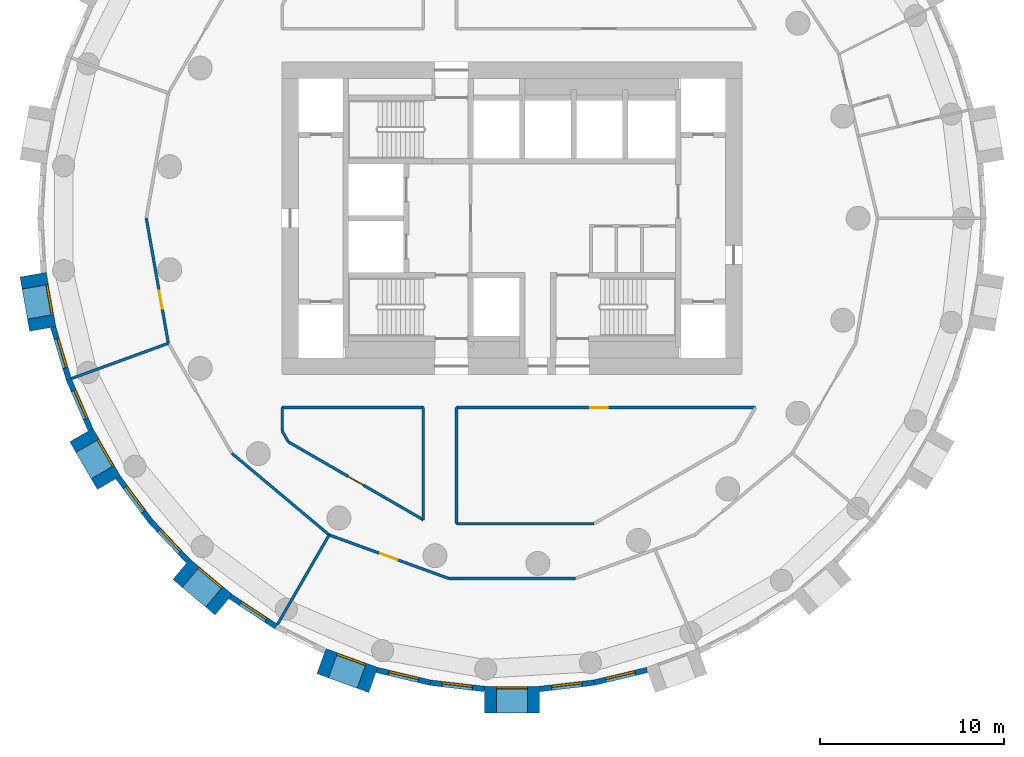
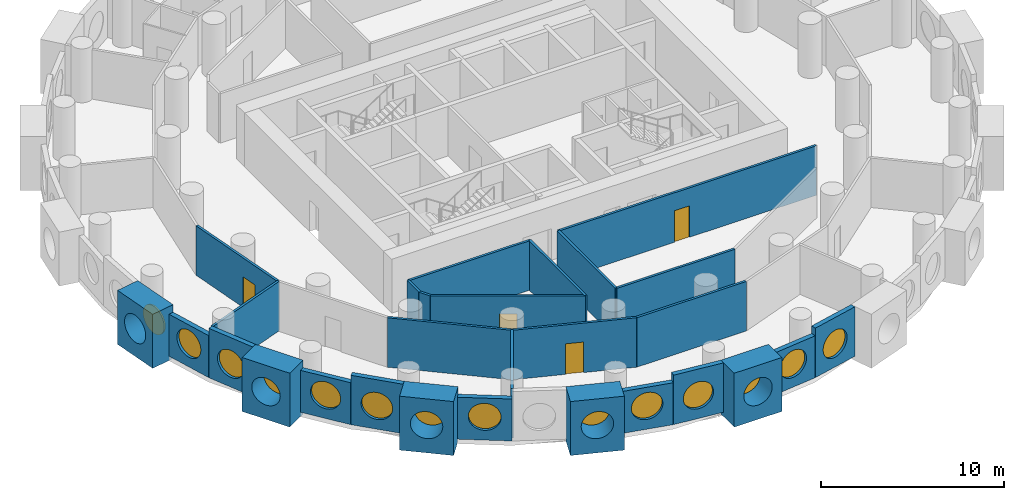
# One storey, part 2 of 9: 28 walls, 14 windows, 4 doors, 18 openings.
"""IFC4 building model written with IfcOpenShell, lengths in metres."""

from ifc_helpers import new_model, si_unit, direction, frame, frame_2d, origin, origin_2d, place, context, subcontext, project, spatial, rectangle, circle, extrude, material, layer, layer_set, type_object, element, fill, save


model = new_model("IFC4")

# Units and contexts
model_context = context("Model", 3, precision=1e-05, world=origin(), true_north=direction((0.0, 1.0)))
body_context = subcontext(model_context, "Body", "Model", "MODEL_VIEW")
ifc_project = project(units=[si_unit("LENGTHUNIT", "METRE"), si_unit("AREAUNIT", "SQUARE_METRE"), si_unit("VOLUMEUNIT", "CUBIC_METRE"), si_unit("PLANEANGLEUNIT", "RADIAN"), si_unit("MASSUNIT", "GRAM", prefix="KILO")], contexts=[model_context])

# Site, building, storey
site_placement = place(None, origin())
site = spatial("IfcSite", under=ifc_project, at=site_placement, CompositionType="ELEMENT")
building_placement = place(site_placement, origin())
building = spatial("IfcBuilding", under=site, at=building_placement, Name="Tracery Tower", CompositionType="ELEMENT")
storey_placement = place(building_placement, frame((0.0, 0.0, 172.800048828125)))
storey = spatial("IfcBuildingStorey", under=building, at=storey_placement, Name="L44", CompositionType="ELEMENT", Elevation=172.800048828125)

# Wall, opening, window
ifc_material_1 = material(Name="Precast concrete C50/60", Category="concrete")
ifc_layer_1 = layer(ifc_material_1, 1.449951171875)
ifc_layer_set_1 = layer_set([ifc_layer_1], Name="Deep-set bay unit 3000 x 3600, slab edge 300")
wall_type_1 = type_object("IfcWallType", Name="Deep-set bay unit 3000 x 3600, slab edge 300", PredefinedType="ELEMENTEDWALL", material=ifc_layer_set_1)
wall_1_placement = place(storey_placement, frame((-26.041748046875, -3.06884765625, -0.300048828125), z_axis=(0.0, 0.0, 1.0), x_axis=(0.173669267716, -0.984804034035, 0.0)))
wall_1 = element("IfcWall", 1, at=wall_1_placement, inside=storey, type_object=wall_type_1, Name="Deep-set bay unit 29 at L44", PredefinedType="ELEMENTEDWALL", context=body_context, shape_type="SweptSolid", body=[
    extrude(rectangle(XDim=3.0, YDim=1.449951171875, at=frame_2d((1.5, 0.0))), origin(), (0.0, 0.0, 1.0), 3.60009765625),
])
opening_1_placement = place(wall_1_placement, frame((1.5, 0.0, 1.85009765625)))
opening_1 = element("IfcOpeningElement", 2, at=opening_1_placement, cuts=wall_1, Name="Opening WN1", PredefinedType="OPENING", context=body_context, shape_type="SweptSolid", body=[
    extrude(circle(Radius=0.9000244140625, at=origin_2d()), frame((0.0, 0.73486328125, 0.0), z_axis=(0.0, -1.0, 0.0), x_axis=(1.0, 0.0, 0.0)), (0.0, 0.0, 1.0), 1.469970703125),
])
ifc_material_2 = material(Name="Aluminium frame with tinted double glazing", Category="aluminium")
window_type = type_object("IfcWindowType", Name="Round window 1800", PartitioningType="SINGLE_PANEL", PredefinedType="WINDOW", material=ifc_material_2)
window_1_placement = place(opening_1_placement, origin())
window_1 = element("IfcWindow", 3, at=window_1_placement, inside=storey, type_object=window_type, Name="Round window 29 at L44", OverallHeight=1.800048828125, OverallWidth=1.800048828125, PartitioningType="SINGLE_PANEL", PredefinedType="WINDOW", context=body_context, shape_type="SweptSolid", body=[
    extrude(circle(Radius=0.9000244140625, at=origin_2d()), frame((0.0, 0.69482421875, 0.0), z_axis=(0.0, -1.0, 0.0), x_axis=(1.0, 0.0, 0.0)), (0.0, 0.0, 1.0), 0.10009765625),
])
fill(opening_1, window_1)

wall_2_placement = place(storey_placement, frame((-23.421630859375, -11.79052734375, -0.300048828125), z_axis=(0.0, 0.0, 1.0), x_axis=(0.499990139034, -0.866031096941, 0.0)))
wall_2 = element("IfcWall", 4, at=wall_2_placement, inside=storey, type_object=wall_type_1, Name="Deep-set bay unit 32 at L44", PredefinedType="ELEMENTEDWALL", context=body_context, shape_type="SweptSolid", body=[
    extrude(rectangle(XDim=3.0, YDim=1.449951171875, at=frame_2d((1.5, 0.0))), origin(), (0.0, 0.0, 1.0), 3.60009765625),
])
opening_2_placement = place(wall_2_placement, frame((1.5, 0.0, 1.85009765625)))
opening_2 = element("IfcOpeningElement", 5, at=opening_2_placement, cuts=wall_2, Name="Opening WN1", PredefinedType="OPENING", context=body_context, shape_type="SweptSolid", body=[
    extrude(circle(Radius=0.9000244140625, at=origin_2d()), frame((0.0, 0.73486328125, 0.0), z_axis=(0.0, -1.0, 0.0), x_axis=(1.0, 0.0, 0.0)), (0.0, 0.0, 1.0), 1.469970703125),
])
window_2_placement = place(opening_2_placement, origin())
window_2 = element("IfcWindow", 6, at=window_2_placement, inside=storey, type_object=window_type, Name="Round window 32 at L44", OverallHeight=1.800048828125, OverallWidth=1.800048828125, PartitioningType="SINGLE_PANEL", PredefinedType="WINDOW", context=body_context, shape_type="SweptSolid", body=[
    extrude(circle(Radius=0.9000244140625, at=origin_2d()), frame((0.0, 0.69482421875, 0.0), z_axis=(0.0, -1.0, 0.0), x_axis=(1.0, 0.0, 0.0)), (0.0, 0.0, 1.0), 0.10009765625),
])
fill(opening_2, window_2)

wall_3_placement = place(storey_placement, frame((-17.9765625, -19.090087890625, -0.300048828125), z_axis=(0.0, 0.0, 1.0), x_axis=(0.766022196139, -0.642814121673, 0.0)))
wall_3 = element("IfcWall", 7, at=wall_3_placement, inside=storey, type_object=wall_type_1, Name="Deep-set bay unit 35 at L44", PredefinedType="ELEMENTEDWALL", context=body_context, shape_type="SweptSolid", body=[
    extrude(rectangle(XDim=3.0, YDim=1.449951171875, at=frame_2d((1.5, 0.0))), origin(), (0.0, 0.0, 1.0), 3.60009765625),
])
opening_3_placement = place(wall_3_placement, frame((1.5, 0.0, 1.85009765625)))
opening_3 = element("IfcOpeningElement", 8, at=opening_3_placement, cuts=wall_3, Name="Opening WN1", PredefinedType="OPENING", context=body_context, shape_type="SweptSolid", body=[
    extrude(circle(Radius=0.9000244140625, at=origin_2d()), frame((0.0, 0.73486328125, 0.0), z_axis=(0.0, -1.0, 0.0), x_axis=(1.0, 0.0, 0.0)), (0.0, 0.0, 1.0), 1.469970703125),
])
window_3_placement = place(opening_3_placement, origin())
window_3 = element("IfcWindow", 9, at=window_3_placement, inside=storey, type_object=window_type, Name="Round window 35 at L44", OverallHeight=1.800048828125, OverallWidth=1.800048828125, PartitioningType="SINGLE_PANEL", PredefinedType="WINDOW", context=body_context, shape_type="SweptSolid", body=[
    extrude(circle(Radius=0.9000244140625, at=origin_2d()), frame((0.0, 0.69482421875, 0.0), z_axis=(0.0, -1.0, 0.0), x_axis=(1.0, 0.0, 0.0)), (0.0, 0.0, 1.0), 0.10009765625),
])
fill(opening_3, window_3)

wall_4_placement = place(storey_placement, frame((-10.36328125, -24.087158203125, -0.300048828125), z_axis=(0.0, 0.0, 1.0), x_axis=(0.939686455819, -0.342037080957, 0.0)))
wall_4 = element("IfcWall", 10, at=wall_4_placement, inside=storey, type_object=wall_type_1, Name="Deep-set bay unit 38 at L44", PredefinedType="ELEMENTEDWALL", context=body_context, shape_type="SweptSolid", body=[
    extrude(rectangle(XDim=3.0, YDim=1.449951171875, at=frame_2d((1.5, 0.0))), origin(), (0.0, 0.0, 1.0), 3.60009765625),
])
opening_4_placement = place(wall_4_placement, frame((1.5, 0.0, 1.85009765625)))
opening_4 = element("IfcOpeningElement", 11, at=opening_4_placement, cuts=wall_4, Name="Opening WN1", PredefinedType="OPENING", context=body_context, shape_type="SweptSolid", body=[
    extrude(circle(Radius=0.9000244140625, at=origin_2d()), frame((0.0, 0.73486328125, 0.0), z_axis=(0.0, -1.0, 0.0), x_axis=(1.0, 0.0, 0.0)), (0.0, 0.0, 1.0), 1.469970703125),
])
window_4_placement = place(opening_4_placement, origin())
window_4 = element("IfcWindow", 12, at=window_4_placement, inside=storey, type_object=window_type, Name="Round window 38 at L44", OverallHeight=1.800048828125, OverallWidth=1.800048828125, PartitioningType="SINGLE_PANEL", PredefinedType="WINDOW", context=body_context, shape_type="SweptSolid", body=[
    extrude(circle(Radius=0.9000244140625, at=origin_2d()), frame((0.0, 0.69482421875, 0.0), z_axis=(0.0, -1.0, 0.0), x_axis=(1.0, 0.0, 0.0)), (0.0, 0.0, 1.0), 0.10009765625),
])
fill(opening_4, window_4)

wall_5_placement = place(storey_placement, frame((-1.5, -26.178955078125, -0.300048828125), z_axis=(0.0, 0.0, 1.0), x_axis=(1.0, 0.0, 0.0)))
wall_5 = element("IfcWall", 13, at=wall_5_placement, inside=storey, type_object=wall_type_1, Name="Deep-set bay unit 41 at L44", PredefinedType="ELEMENTEDWALL", context=body_context, shape_type="SweptSolid", body=[
    extrude(rectangle(XDim=3.0, YDim=1.449951171875, at=frame_2d((1.5, 0.0))), origin(), (0.0, 0.0, 1.0), 3.60009765625),
])
opening_5_placement = place(wall_5_placement, frame((1.5, 0.0, 1.85009765625)))
opening_5 = element("IfcOpeningElement", 14, at=opening_5_placement, cuts=wall_5, Name="Opening WN1", PredefinedType="OPENING", context=body_context, shape_type="SweptSolid", body=[
    extrude(circle(Radius=0.9000244140625, at=origin_2d()), frame((0.0, 0.73486328125, 0.0), z_axis=(0.0, -1.0, 0.0), x_axis=(1.0, 0.0, 0.0)), (0.0, 0.0, 1.0), 1.469970703125),
])
window_5_placement = place(opening_5_placement, origin())
window_5 = element("IfcWindow", 15, at=window_5_placement, inside=storey, type_object=window_type, Name="Round window 41 at L44", OverallHeight=1.800048828125, OverallWidth=1.800048828125, PartitioningType="SINGLE_PANEL", PredefinedType="WINDOW", context=body_context, shape_type="SweptSolid", body=[
    extrude(circle(Radius=0.9000244140625, at=origin_2d()), frame((0.0, 0.69482421875, 0.0), z_axis=(0.0, -1.0, 0.0), x_axis=(1.0, 0.0, 0.0)), (0.0, 0.0, 1.0), 0.10009765625),
])
fill(opening_5, window_5)

ifc_material_3 = material(Name="Precast concrete C50/60", Category="concrete")
ifc_layer_2 = layer(ifc_material_3, 0.300048828125)
ifc_layer_set_2 = layer_set([ifc_layer_2], Name="Facade panel 3000 x 2800")
wall_type_2 = type_object("IfcWallType", Name="Facade panel 3000 x 2800", PredefinedType="SOLIDWALL", material=ifc_layer_set_2)
wall_6_placement = place(storey_placement, frame((-24.953369140625, -5.924072265625, 0.0), z_axis=(0.0, 0.0, 1.0), x_axis=(0.286782750849, -0.957995643944, 0.0)))
wall_6 = element("IfcWall", 16, at=wall_6_placement, inside=storey, type_object=wall_type_2, Name="Facade panel 30 at L44", PredefinedType="SOLIDWALL", context=body_context, shape_type="SweptSolid", body=[
    extrude(rectangle(XDim=2.97265625, YDim=0.300048828125, at=frame_2d((1.486328125, 0.0))), origin(), (0.0, 0.0, 1.0), 2.800048828125),
])
opening_6_placement = place(wall_6_placement, frame((1.486328125, 0.0, 1.5498046875)))
opening_6 = element("IfcOpeningElement", 17, at=opening_6_placement, cuts=wall_6, Name="Opening WN1", PredefinedType="OPENING", context=body_context, shape_type="SweptSolid", body=[
    extrude(circle(Radius=0.9000244140625, at=origin_2d()), frame((0.0, 0.159912109375, 0.0), z_axis=(0.0, -1.0, 0.0), x_axis=(1.0, 0.0, 0.0)), (0.0, 0.0, 1.0), 0.320068359375),
])
window_6_placement = place(opening_6_placement, origin())
window_6 = element("IfcWindow", 18, at=window_6_placement, inside=storey, type_object=window_type, Name="Round window 30 at L44", OverallHeight=1.800048828125, OverallWidth=1.800048828125, PartitioningType="SINGLE_PANEL", PredefinedType="WINDOW", context=body_context, shape_type="SweptSolid", body=[
    extrude(circle(Radius=0.9000244140625, at=origin_2d()), frame((0.0, 0.1201171875, 0.0), z_axis=(0.0, -1.0, 0.0), x_axis=(1.0, 0.0, 0.0)), (0.0, 0.0, 1.0), 0.10009765625),
])
fill(opening_6, window_6)

wall_7_placement = place(storey_placement, frame((-21.42236328125, -14.101318359375, 0.0), z_axis=(0.0, 0.0, 1.0), x_axis=(0.597197580538, -0.80209416517, 0.0)))
wall_7 = element("IfcWall", 19, at=wall_7_placement, inside=storey, type_object=wall_type_2, Name="Facade panel 33 at L44", PredefinedType="SOLIDWALL", context=body_context, shape_type="SweptSolid", body=[
    extrude(rectangle(XDim=2.972900390625, YDim=0.300048828125, at=frame_2d((1.486328125, 0.0))), origin(), (0.0, 0.0, 1.0), 2.800048828125),
])
opening_7_placement = place(wall_7_placement, frame((1.486328125, 0.0, 1.5498046875)))
opening_7 = element("IfcOpeningElement", 20, at=opening_7_placement, cuts=wall_7, Name="Opening WN1", PredefinedType="OPENING", context=body_context, shape_type="SweptSolid", body=[
    extrude(circle(Radius=0.9000244140625, at=origin_2d()), frame((0.0, 0.159912109375, 0.0), z_axis=(0.0, -1.0, 0.0), x_axis=(1.0, 0.0, 0.0)), (0.0, 0.0, 1.0), 0.320068359375),
])
window_7_placement = place(opening_7_placement, origin())
window_7 = element("IfcWindow", 21, at=window_7_placement, inside=storey, type_object=window_type, Name="Round window 33 at L44", OverallHeight=1.800048828125, OverallWidth=1.800048828125, PartitioningType="SINGLE_PANEL", PredefinedType="WINDOW", context=body_context, shape_type="SweptSolid", body=[
    extrude(circle(Radius=0.9000244140625, at=origin_2d()), frame((0.0, 0.1201171875, 0.0), z_axis=(0.0, -1.0, 0.0), x_axis=(1.0, 0.0, 0.0)), (0.0, 0.0, 1.0), 0.10009765625),
])
fill(opening_7, window_7)

wall_8_placement = place(storey_placement, frame((-15.3076171875, -20.57763671875, 0.0), z_axis=(0.0, 0.0, 1.0), x_axis=(0.835470659512, -0.549535055382, 0.0)))
wall_8 = element("IfcWall", 22, at=wall_8_placement, inside=storey, type_object=wall_type_2, Name="Facade panel 36 at L44", PredefinedType="SOLIDWALL", context=body_context, shape_type="SweptSolid", body=[
    extrude(rectangle(XDim=2.97314453125, YDim=0.300048828125, at=frame_2d((1.486572265625, 0.0))), origin(), (0.0, 0.0, 1.0), 2.800048828125),
])
opening_8_placement = place(wall_8_placement, frame((1.486328125, 0.0, 1.5498046875)))
opening_8 = element("IfcOpeningElement", 23, at=opening_8_placement, cuts=wall_8, Name="Opening WN1", PredefinedType="OPENING", context=body_context, shape_type="SweptSolid", body=[
    extrude(circle(Radius=0.9000244140625, at=origin_2d()), frame((0.0, 0.159912109375, 0.0), z_axis=(0.0, -1.0, 0.0), x_axis=(1.0, 0.0, 0.0)), (0.0, 0.0, 1.0), 0.320068359375),
])
window_8_placement = place(opening_8_placement, origin())
window_8 = element("IfcWindow", 24, at=window_8_placement, inside=storey, type_object=window_type, Name="Round window 36 at L44", OverallHeight=1.800048828125, OverallWidth=1.800048828125, PartitioningType="SINGLE_PANEL", PredefinedType="WINDOW", context=body_context, shape_type="SweptSolid", body=[
    extrude(circle(Radius=0.9000244140625, at=origin_2d()), frame((0.0, 0.1201171875, 0.0), z_axis=(0.0, -1.0, 0.0), x_axis=(1.0, 0.0, 0.0)), (0.0, 0.0, 1.0), 0.10009765625),
])
fill(opening_8, window_8)

wall_9_placement = place(storey_placement, frame((-7.346435546875, -24.572265625, 0.0), z_axis=(0.0, 0.0, 1.0), x_axis=(0.973049746156, -0.230595298102, 0.0)))
wall_9 = element("IfcWall", 25, at=wall_9_placement, inside=storey, type_object=wall_type_2, Name="Facade panel 39 at L44", PredefinedType="SOLIDWALL", context=body_context, shape_type="SweptSolid", body=[
    extrude(rectangle(XDim=2.972900390625, YDim=0.300048828125, at=frame_2d((1.486328125, 0.0))), origin(), (0.0, 0.0, 1.0), 2.800048828125),
])
opening_9_placement = place(wall_9_placement, frame((1.486328125, 0.0, 1.5498046875)))
opening_9 = element("IfcOpeningElement", 26, at=opening_9_placement, cuts=wall_9, Name="Opening WN1", PredefinedType="OPENING", context=body_context, shape_type="SweptSolid", body=[
    extrude(circle(Radius=0.9000244140625, at=origin_2d()), frame((0.0, 0.159912109375, 0.0), z_axis=(0.0, -1.0, 0.0), x_axis=(1.0, 0.0, 0.0)), (0.0, 0.0, 1.0), 0.320068359375),
])
window_9_placement = place(opening_9_placement, origin())
window_9 = element("IfcWindow", 27, at=window_9_placement, inside=storey, type_object=window_type, Name="Round window 39 at L44", OverallHeight=1.800048828125, OverallWidth=1.800048828125, PartitioningType="SINGLE_PANEL", PredefinedType="WINDOW", context=body_context, shape_type="SweptSolid", body=[
    extrude(circle(Radius=0.9000244140625, at=origin_2d()), frame((0.0, 0.1201171875, 0.0), z_axis=(0.0, -1.0, 0.0), x_axis=(1.0, 0.0, 0.0)), (0.0, 0.0, 1.0), 0.10009765625),
])
fill(opening_9, window_9)

wall_10_placement = place(storey_placement, frame((1.500732421875, -25.60302734375, 0.0), z_axis=(0.0, 0.0, 1.0), x_axis=(0.993235542767, 0.116116995244, 0.0)))
wall_10 = element("IfcWall", 28, at=wall_10_placement, inside=storey, type_object=wall_type_2, Name="Facade panel 42 at L44", PredefinedType="SOLIDWALL", context=body_context, shape_type="SweptSolid", body=[
    extrude(rectangle(XDim=2.972900390625, YDim=0.300048828125, at=frame_2d((1.486328125, 0.0))), origin(), (0.0, 0.0, 1.0), 2.800048828125),
])
opening_10_placement = place(wall_10_placement, frame((1.486328125, 0.0, 1.5498046875)))
opening_10 = element("IfcOpeningElement", 29, at=opening_10_placement, cuts=wall_10, Name="Opening WN1", PredefinedType="OPENING", context=body_context, shape_type="SweptSolid", body=[
    extrude(circle(Radius=0.9000244140625, at=origin_2d()), frame((0.0, 0.159912109375, 0.0), z_axis=(0.0, -1.0, 0.0), x_axis=(1.0, 0.0, 0.0)), (0.0, 0.0, 1.0), 0.320068359375),
])
window_10_placement = place(opening_10_placement, origin())
window_10 = element("IfcWindow", 30, at=window_10_placement, inside=storey, type_object=window_type, Name="Round window 42 at L44", OverallHeight=1.800048828125, OverallWidth=1.800048828125, PartitioningType="SINGLE_PANEL", PredefinedType="WINDOW", context=body_context, shape_type="SweptSolid", body=[
    extrude(circle(Radius=0.9000244140625, at=origin_2d()), frame((0.0, 0.1201171875, 0.0), z_axis=(0.0, -1.0, 0.0), x_axis=(1.0, 0.0, 0.0)), (0.0, 0.0, 1.0), 0.10009765625),
])
fill(opening_10, window_10)

ifc_material_4 = material(Name="Precast concrete C50/60", Category="concrete")
ifc_layer_3 = layer(ifc_material_4, 0.300048828125)
ifc_layer_set_3 = layer_set([ifc_layer_3], Name="Facade panel 3000 x 3300")
wall_type_3 = type_object("IfcWallType", Name="Facade panel 3000 x 3300", PredefinedType="SOLIDWALL", material=ifc_layer_set_3)
wall_11_placement = place(storey_placement, frame((-24.100830078125, -8.77197265625, 0.0), z_axis=(0.0, 0.0, 1.0), x_axis=(0.396148129016, -0.918186614952, 0.0)))
wall_11 = element("IfcWall", 31, at=wall_11_placement, inside=storey, type_object=wall_type_3, Name="Facade panel 31 at L44", PredefinedType="SOLIDWALL", context=body_context, shape_type="SweptSolid", body=[
    extrude(rectangle(XDim=2.972900390625, YDim=0.300048828125, at=frame_2d((1.486328125, 0.0))), origin(), (0.0, 0.0, 1.0), 3.300048828125),
])
opening_11_placement = place(wall_11_placement, frame((1.486328125, 0.0, 1.5498046875)))
opening_11 = element("IfcOpeningElement", 32, at=opening_11_placement, cuts=wall_11, Name="Opening WN1", PredefinedType="OPENING", context=body_context, shape_type="SweptSolid", body=[
    extrude(circle(Radius=0.9000244140625, at=origin_2d()), frame((0.0, 0.159912109375, 0.0), z_axis=(0.0, -1.0, 0.0), x_axis=(1.0, 0.0, 0.0)), (0.0, 0.0, 1.0), 0.320068359375),
])
window_11_placement = place(opening_11_placement, origin())
window_11 = element("IfcWindow", 33, at=window_11_placement, inside=storey, type_object=window_type, Name="Round window 31 at L44", OverallHeight=1.800048828125, OverallWidth=1.800048828125, PartitioningType="SINGLE_PANEL", PredefinedType="WINDOW", context=body_context, shape_type="SweptSolid", body=[
    extrude(circle(Radius=0.9000244140625, at=origin_2d()), frame((0.0, 0.1201171875, 0.0), z_axis=(0.0, -1.0, 0.0), x_axis=(1.0, 0.0, 0.0)), (0.0, 0.0, 1.0), 0.10009765625),
])
fill(opening_11, window_11)

wall_12_placement = place(storey_placement, frame((-19.64697265625, -16.48583984375, 0.0), z_axis=(0.0, 0.0, 1.0), x_axis=(0.686235184166, -0.727379730273, 0.0)))
wall_12 = element("IfcWall", 34, at=wall_12_placement, inside=storey, type_object=wall_type_3, Name="Facade panel 34 at L44", PredefinedType="SOLIDWALL", context=body_context, shape_type="SweptSolid", body=[
    extrude(rectangle(XDim=2.972900390625, YDim=0.300048828125, at=frame_2d((1.486328125, 0.0))), origin(), (0.0, 0.0, 1.0), 3.300048828125),
])
opening_12_placement = place(wall_12_placement, frame((1.486328125, 0.0, 1.5498046875)))
opening_12 = element("IfcOpeningElement", 35, at=opening_12_placement, cuts=wall_12, Name="Opening WN1", PredefinedType="OPENING", context=body_context, shape_type="SweptSolid", body=[
    extrude(circle(Radius=0.9000244140625, at=origin_2d()), frame((0.0, 0.159912109375, 0.0), z_axis=(0.0, -1.0, 0.0), x_axis=(1.0, 0.0, 0.0)), (0.0, 0.0, 1.0), 0.320068359375),
])
window_12_placement = place(opening_12_placement, origin())
window_12 = element("IfcWindow", 36, at=window_12_placement, inside=storey, type_object=window_type, Name="Round window 34 at L44", OverallHeight=1.800048828125, OverallWidth=1.800048828125, PartitioningType="SINGLE_PANEL", PredefinedType="WINDOW", context=body_context, shape_type="SweptSolid", body=[
    extrude(circle(Radius=0.9000244140625, at=origin_2d()), frame((0.0, 0.1201171875, 0.0), z_axis=(0.0, -1.0, 0.0), x_axis=(1.0, 0.0, 0.0)), (0.0, 0.0, 1.0), 0.10009765625),
])
fill(opening_12, window_12)

wall_13_placement = place(storey_placement, frame((-4.45361328125, -25.2578125, 0.0), z_axis=(0.0, 0.0, 1.0), x_axis=(0.993235542767, -0.116116995244, 0.0)))
wall_13 = element("IfcWall", 37, at=wall_13_placement, inside=storey, type_object=wall_type_3, Name="Facade panel 40 at L44", PredefinedType="SOLIDWALL", context=body_context, shape_type="SweptSolid", body=[
    extrude(rectangle(XDim=2.972900390625, YDim=0.300048828125, at=frame_2d((1.486328125, 0.0))), origin(), (0.0, 0.0, 1.0), 3.300048828125),
])
opening_13_placement = place(wall_13_placement, frame((1.486328125, 0.0, 1.5498046875)))
opening_13 = element("IfcOpeningElement", 38, at=opening_13_placement, cuts=wall_13, Name="Opening WN1", PredefinedType="OPENING", context=body_context, shape_type="SweptSolid", body=[
    extrude(circle(Radius=0.9000244140625, at=origin_2d()), frame((0.0, 0.159912109375, 0.0), z_axis=(0.0, -1.0, 0.0), x_axis=(1.0, 0.0, 0.0)), (0.0, 0.0, 1.0), 0.320068359375),
])
window_13_placement = place(opening_13_placement, origin())
window_13 = element("IfcWindow", 39, at=window_13_placement, inside=storey, type_object=window_type, Name="Round window 40 at L44", OverallHeight=1.800048828125, OverallWidth=1.800048828125, PartitioningType="SINGLE_PANEL", PredefinedType="WINDOW", context=body_context, shape_type="SweptSolid", body=[
    extrude(circle(Radius=0.9000244140625, at=origin_2d()), frame((0.0, 0.1201171875, 0.0), z_axis=(0.0, -1.0, 0.0), x_axis=(1.0, 0.0, 0.0)), (0.0, 0.0, 1.0), 0.10009765625),
])
fill(opening_13, window_13)

wall_14_placement = place(storey_placement, frame((4.45361328125, -25.2578125, 0.0), z_axis=(0.0, 0.0, 1.0), x_axis=(0.973049746156, 0.230595298102, 0.0)))
wall_14 = element("IfcWall", 40, at=wall_14_placement, inside=storey, type_object=wall_type_3, Name="Facade panel 43 at L44", PredefinedType="SOLIDWALL", context=body_context, shape_type="SweptSolid", body=[
    extrude(rectangle(XDim=2.972900390625, YDim=0.300048828125, at=frame_2d((1.486328125, 0.0))), origin(), (0.0, 0.0, 1.0), 3.300048828125),
])
opening_14_placement = place(wall_14_placement, frame((1.486328125, 0.0, 1.5498046875)))
opening_14 = element("IfcOpeningElement", 41, at=opening_14_placement, cuts=wall_14, Name="Opening WN1", PredefinedType="OPENING", context=body_context, shape_type="SweptSolid", body=[
    extrude(circle(Radius=0.9000244140625, at=origin_2d()), frame((0.0, 0.159912109375, 0.0), z_axis=(0.0, -1.0, 0.0), x_axis=(1.0, 0.0, 0.0)), (0.0, 0.0, 1.0), 0.320068359375),
])
window_14_placement = place(opening_14_placement, origin())
window_14 = element("IfcWindow", 42, at=window_14_placement, inside=storey, type_object=window_type, Name="Round window 43 at L44", OverallHeight=1.800048828125, OverallWidth=1.800048828125, PartitioningType="SINGLE_PANEL", PredefinedType="WINDOW", context=body_context, shape_type="SweptSolid", body=[
    extrude(circle(Radius=0.9000244140625, at=origin_2d()), frame((0.0, 0.1201171875, 0.0), z_axis=(0.0, -1.0, 0.0), x_axis=(1.0, 0.0, 0.0)), (0.0, 0.0, 1.0), 0.10009765625),
])
fill(opening_14, window_14)

# Walls
ifc_material_5 = material(Name="Plasterboard on steel studs", Category="steel")
ifc_layer_4 = layer(ifc_material_5, 0.14990234375)
ifc_layer_set_4 = layer_set([ifc_layer_4], Name="Partition 150 acoustic unit wall")
wall_type_4 = type_object("IfcWallType", Name="Partition 150 acoustic unit wall", PredefinedType="PARTITIONING", material=ifc_layer_set_4)
wall_15_placement = place(storey_placement, frame((-23.9599609375, -8.720947265625, 0.0), z_axis=(0.0, 0.0, 1.0), x_axis=(0.939686652043, 0.342036541866, 0.0)))
element("IfcWall", 43, at=wall_15_placement, inside=storey, type_object=wall_type_4, Name="Unit wall RB5-063", PredefinedType="PARTITIONING", context=body_context, shape_type="SweptSolid", body=[
    extrude(rectangle(XDim=5.6103515625, YDim=0.14990234375, at=frame_2d((2.80517578125, 0.0))), origin(), (0.0, 0.0, 1.0), 3.300048828125),
])
wall_16_placement = place(storey_placement, frame((-12.7490234375, -22.0810546875, 0.0), z_axis=(0.0, 0.0, 1.0), x_axis=(0.500010020406, 0.866019618423, 0.0)))
element("IfcWall", 44, at=wall_16_placement, inside=storey, type_object=wall_type_4, Name="Unit wall RB5-064", PredefinedType="PARTITIONING", context=body_context, shape_type="SweptSolid", body=[
    extrude(rectangle(XDim=5.60986328125, YDim=0.14990234375, at=frame_2d((2.804931640625, 0.0))), origin(), (0.0, 0.0, 1.0), 3.300048828125),
])
ifc_material_6 = material(Name="Plasterboard on steel studs", Category="steel")
ifc_layer_5 = layer(ifc_material_6, 0.14990234375)
ifc_layer_set_5 = layer_set([ifc_layer_5], Name="Partition 150 corridor wall")
wall_type_5 = type_object("IfcWallType", Name="Partition 150 corridor wall", PredefinedType="PARTITIONING", material=ifc_layer_set_5)
wall_17_placement = place(storey_placement, frame((-12.50390625, -10.300048828125, 0.0), z_axis=(0.0, 0.0, 1.0), x_axis=(1.0, 0.0, 0.0)))
element("IfcWall", 45, at=wall_17_placement, inside=storey, type_object=wall_type_5, Name="Corridor wall RB5-003", PredefinedType="PARTITIONING", context=body_context, shape_type="SweptSolid", body=[
    extrude(rectangle(XDim=7.68701171875, YDim=0.14990234375, at=frame_2d((3.843505859375, 0.0))), origin(), (0.0, 0.0, 1.0), 3.300048828125),
])

# Wall, opening, door
wall_18_placement = place(storey_placement, frame((-3.02490234375, -10.300048828125, 0.0), z_axis=(0.0, 0.0, 1.0), x_axis=(1.0, 0.0, 0.0)))
wall_18 = element("IfcWall", 46, at=wall_18_placement, inside=storey, type_object=wall_type_5, Name="Corridor wall RB5-004", PredefinedType="PARTITIONING", context=body_context, shape_type="SweptSolid", body=[
    extrude(rectangle(XDim=16.261962890625, YDim=0.14990234375, at=frame_2d((8.130859375, 0.0))), origin(), (0.0, 0.0, 1.0), 3.300048828125),
])
opening_15_placement = place(wall_18_placement, frame((7.287109375, 0.0, 0.0)))
opening_15 = element("IfcOpeningElement", 47, at=opening_15_placement, cuts=wall_18, Name="Opening RB5-04", PredefinedType="OPENING", context=body_context, shape_type="SweptSolid", body=[
    extrude(rectangle(XDim=0.949951171875, YDim=2.10009765625, at=frame_2d((0.47509765625, 1.050048828125))), frame((0.0, 0.074951171875, 0.0), z_axis=(0.0, -1.0, 0.0), x_axis=(1.0, 0.0, 0.0)), (0.0, 0.0, 1.0), 0.14990234375),
])
ifc_material_7 = material(Name="Timber door leaf", Category="wood")
door_type_1 = type_object("IfcDoorType", Name="Door store 950", OperationType="NOTDEFINED", PredefinedType="DOOR", material=ifc_material_7)
door_1_placement = place(opening_15_placement, origin())
door_1 = element("IfcDoor", 48, at=door_1_placement, inside=storey, type_object=door_type_1, Name="Store door RB5-04", OperationType="SINGLE_SWING_RIGHT", OverallHeight=2.10009765625, OverallWidth=0.949951171875, PredefinedType="DOOR", context=body_context, shape_type="SweptSolid", body=[
    extrude(rectangle(XDim=0.949951171875, YDim=2.10009765625, at=frame_2d((0.47509765625, 1.050048828125))), frame((0.0, 0.02490234375, 0.0), z_axis=(0.0, -1.0, 0.0), x_axis=(1.0, 0.0, 0.0)), (0.0, 0.0, 1.0), 0.050048828125),
])
fill(opening_15, door_1)

# Walls
wall_19_placement = place(storey_placement, frame((-12.5, -11.576904296875, 0.0), z_axis=(0.0, 0.0, 1.0), x_axis=(0.0, 1.0, 0.0)))
element("IfcWall", 49, at=wall_19_placement, inside=storey, type_object=wall_type_5, Name="Corridor wall RB5-024", PredefinedType="PARTITIONING", context=body_context, shape_type="SweptSolid", body=[
    extrude(rectangle(XDim=1.27685546875, YDim=0.14990234375, at=frame_2d((0.638427734375, 0.0))), origin(), (0.0, 0.0, 1.0), 3.300048828125),
])
wall_20_placement = place(storey_placement, frame((-12.5, -11.576904296875, 0.0), z_axis=(0.0, 0.0, 1.0), x_axis=(0.500024767483, -0.866011103799, 0.0)))
element("IfcWall", 50, at=wall_20_placement, inside=storey, type_object=wall_type_5, Name="Corridor wall RB5-025", PredefinedType="PARTITIONING", context=body_context, shape_type="SweptSolid", body=[
    extrude(rectangle(XDim=0.67578125, YDim=0.14990234375, at=frame_2d((0.337890625, 0.0))), origin(), (0.0, 0.0, 1.0), 3.300048828125),
])

# Wall, opening, door
wall_21_placement = place(storey_placement, frame((-19.887939453125, 0.0, 0.0), z_axis=(0.0, 0.0, 1.0), x_axis=(0.173728873845, -0.98479352069, 0.0)))
wall_21 = element("IfcWall", 51, at=wall_21_placement, inside=storey, type_object=wall_type_5, Name="Corridor wall RB5-027", PredefinedType="PARTITIONING", context=body_context, shape_type="SweptSolid", body=[
    extrude(rectangle(XDim=6.906982421875, YDim=0.14990234375, at=frame_2d((3.45361328125, 0.0))), origin(), (0.0, 0.0, 1.0), 3.300048828125),
])
opening_16_placement = place(wall_21_placement, frame((4.0029296875, 0.0, 0.0)))
opening_16 = element("IfcOpeningElement", 52, at=opening_16_placement, cuts=wall_21, Name="Opening RB5-21", PredefinedType="OPENING", context=body_context, shape_type="SweptSolid", body=[
    extrude(rectangle(XDim=1.0, YDim=2.0400390625, at=frame_2d((0.5, 1.02001953125))), frame((0.0, 0.074951171875, 0.0), z_axis=(0.0, -1.0, 0.0), x_axis=(1.0, 0.0, 0.0)), (0.0, 0.0, 1.0), 0.14990234375),
])
ifc_material_8 = material(Name="Timber door leaf", Category="wood")
door_type_2 = type_object("IfcDoorType", Name="Door communal room 1000", OperationType="NOTDEFINED", PredefinedType="DOOR", material=ifc_material_8)
door_2_placement = place(opening_16_placement, origin())
door_2 = element("IfcDoor", 53, at=door_2_placement, inside=storey, type_object=door_type_2, Name="Communal room door RB5-21", OperationType="SINGLE_SWING_LEFT", OverallHeight=2.0400390625, OverallWidth=1.0, PredefinedType="DOOR", context=body_context, shape_type="SweptSolid", body=[
    extrude(rectangle(XDim=1.0, YDim=2.0400390625, at=frame_2d((0.5, 1.02001953125))), frame((0.0, 0.02490234375, 0.0), z_axis=(0.0, -1.0, 0.0), x_axis=(1.0, 0.0, 0.0)), (0.0, 0.0, 1.0), 0.050048828125),
])
fill(opening_16, door_2)

# Wall
wall_22_placement = place(storey_placement, frame((-15.235107421875, -12.783935546875, 0.0), z_axis=(0.0, 0.0, 1.0), x_axis=(0.766192104565, -0.642611592567, 0.0)))
element("IfcWall", 54, at=wall_22_placement, inside=storey, type_object=wall_type_5, Name="Corridor wall RB5-029", PredefinedType="PARTITIONING", context=body_context, shape_type="SweptSolid", body=[
    extrude(rectangle(XDim=6.906494140625, YDim=0.14990234375, at=frame_2d((3.453125, 0.0))), origin(), (0.0, 0.0, 1.0), 3.300048828125),
])

# Wall, opening, door
wall_23_placement = place(storey_placement, frame((-12.162109375, -12.162109375, 0.0), z_axis=(0.0, 0.0, 1.0), x_axis=(0.866004766557, -0.500035743023, 0.0)))
wall_23 = element("IfcWall", 55, at=wall_23_placement, inside=storey, type_object=wall_type_5, Name="Corridor wall RB5-031", PredefinedType="PARTITIONING", context=body_context, shape_type="SweptSolid", body=[
    extrude(rectangle(XDim=8.47705078125, YDim=0.14990234375, at=frame_2d((4.238525390625, 0.0))), origin(), (0.0, 0.0, 1.0), 3.300048828125),
])
opening_17_placement = place(wall_23_placement, frame((3.762939453125, 0.0, 0.0)))
opening_17 = element("IfcOpeningElement", 56, at=opening_17_placement, cuts=wall_23, Name="Opening RB5-03", PredefinedType="OPENING", context=body_context, shape_type="SweptSolid", body=[
    extrude(rectangle(XDim=0.949951171875, YDim=2.10009765625, at=frame_2d((0.47509765625, 1.050048828125))), frame((0.0, 0.074951171875, 0.0), z_axis=(0.0, -1.0, 0.0), x_axis=(1.0, 0.0, 0.0)), (0.0, 0.0, 1.0), 0.14990234375),
])
door_3_placement = place(opening_17_placement, origin())
door_3 = element("IfcDoor", 57, at=door_3_placement, inside=storey, type_object=door_type_1, Name="Store door RB5-03", OperationType="SINGLE_SWING_LEFT", OverallHeight=2.10009765625, OverallWidth=0.949951171875, PredefinedType="DOOR", context=body_context, shape_type="SweptSolid", body=[
    extrude(rectangle(XDim=0.949951171875, YDim=2.10009765625, at=frame_2d((0.47509765625, 1.050048828125))), frame((0.0, 0.02490234375, 0.0), z_axis=(0.0, -1.0, 0.0), x_axis=(1.0, 0.0, 0.0)), (0.0, 0.0, 1.0), 0.050048828125),
])
fill(opening_17, door_3)

# Walls
wall_24_placement = place(storey_placement, frame((-4.821044921875, -16.40087890625, 0.0), z_axis=(0.0, 0.0, 1.0), x_axis=(0.0, 1.0, 0.0)))
element("IfcWall", 58, at=wall_24_placement, inside=storey, type_object=wall_type_5, Name="Corridor wall RB5-032", PredefinedType="PARTITIONING", context=body_context, shape_type="SweptSolid", body=[
    extrude(rectangle(XDim=6.100830078125, YDim=0.14990234375, at=frame_2d((3.05029296875, 0.0))), origin(), (0.0, 0.0, 1.0), 3.300048828125),
])
wall_25_placement = place(storey_placement, frame((-3.02099609375, -16.614013671875, 0.0), z_axis=(0.0, 0.0, 1.0), x_axis=(0.0, 1.0, 0.0)))
element("IfcWall", 59, at=wall_25_placement, inside=storey, type_object=wall_type_5, Name="Corridor wall RB5-033", PredefinedType="PARTITIONING", context=body_context, shape_type="SweptSolid", body=[
    extrude(rectangle(XDim=6.31396484375, YDim=0.14990234375, at=frame_2d((3.156982421875, 0.0))), origin(), (0.0, 0.0, 1.0), 3.300048828125),
])
wall_26_placement = place(storey_placement, frame((-3.02099609375, -16.614013671875, 0.0), z_axis=(0.0, 0.0, 1.0), x_axis=(1.0, 0.0, 0.0)))
element("IfcWall", 60, at=wall_26_placement, inside=storey, type_object=wall_type_5, Name="Corridor wall RB5-034", PredefinedType="PARTITIONING", context=body_context, shape_type="SweptSolid", body=[
    extrude(rectangle(XDim=7.472900390625, YDim=0.14990234375, at=frame_2d((3.736328125, 0.0))), origin(), (0.0, 0.0, 1.0), 3.300048828125),
])
wall_27_placement = place(storey_placement, frame((-3.452880859375, -19.5859375, 0.0), z_axis=(0.0, 0.0, 1.0), x_axis=(1.0, 0.0, 0.0)))
element("IfcWall", 61, at=wall_27_placement, inside=storey, type_object=wall_type_5, Name="Corridor wall RB5-037", PredefinedType="PARTITIONING", context=body_context, shape_type="SweptSolid", body=[
    extrude(rectangle(XDim=6.90576171875, YDim=0.14990234375, at=frame_2d((3.452880859375, 0.0))), origin(), (0.0, 0.0, 1.0), 3.300048828125),
])

# Wall, opening, door
wall_28_placement = place(storey_placement, frame((-9.944091796875, -17.222900390625, 0.0), z_axis=(0.0, 0.0, 1.0), x_axis=(0.939672634566, -0.342075050021, 0.0)))
wall_28 = element("IfcWall", 62, at=wall_28_placement, inside=storey, type_object=wall_type_5, Name="Corridor wall RB5-038", PredefinedType="PARTITIONING", context=body_context, shape_type="SweptSolid", body=[
    extrude(rectangle(XDim=6.907958984375, YDim=0.14990234375, at=frame_2d((3.4541015625, 0.0))), origin(), (0.0, 0.0, 1.0), 3.300048828125),
])
opening_18_placement = place(wall_28_placement, frame((2.95361328125, 0.0, 0.0)))
opening_18 = element("IfcOpeningElement", 63, at=opening_18_placement, cuts=wall_28, Name="Opening RB5-23", PredefinedType="OPENING", context=body_context, shape_type="SweptSolid", body=[
    extrude(rectangle(XDim=1.0, YDim=2.0400390625, at=frame_2d((0.5, 1.02001953125))), frame((0.0, 0.074951171875, 0.0), z_axis=(0.0, -1.0, 0.0), x_axis=(1.0, 0.0, 0.0)), (0.0, 0.0, 1.0), 0.14990234375),
])
door_4_placement = place(opening_18_placement, origin())
door_4 = element("IfcDoor", 64, at=door_4_placement, inside=storey, type_object=door_type_2, Name="Communal room door RB5-23", OperationType="SINGLE_SWING_RIGHT", OverallHeight=2.0400390625, OverallWidth=1.0, PredefinedType="DOOR", context=body_context, shape_type="SweptSolid", body=[
    extrude(rectangle(XDim=1.0, YDim=2.0400390625, at=frame_2d((0.5, 1.02001953125))), frame((0.0, 0.02490234375, 0.0), z_axis=(0.0, -1.0, 0.0), x_axis=(1.0, 0.0, 0.0)), (0.0, 0.0, 1.0), 0.050048828125),
])
fill(opening_18, door_4)

save(model, "model.ifc")
